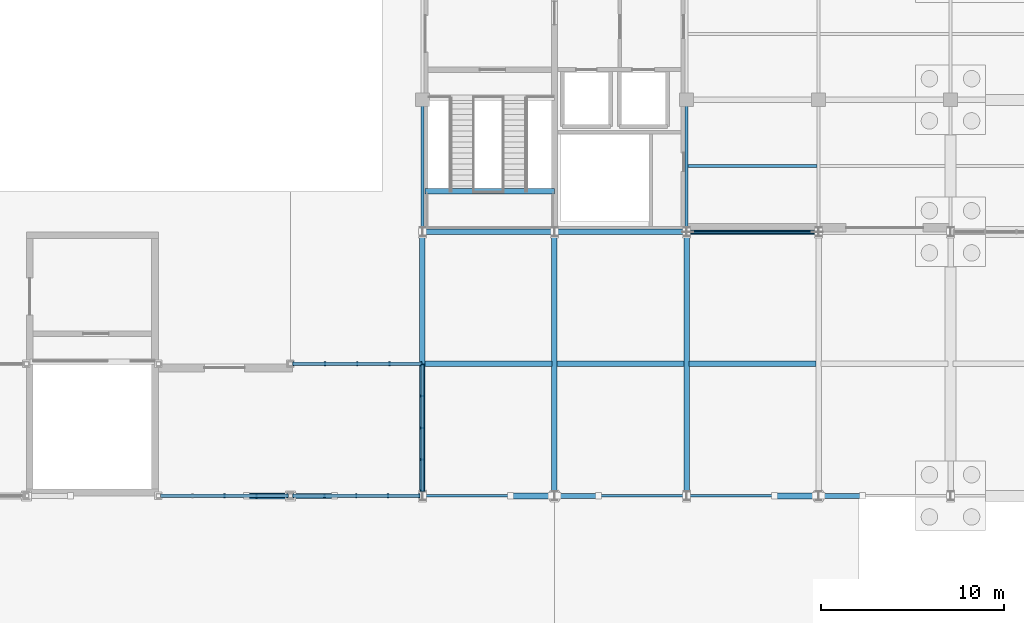
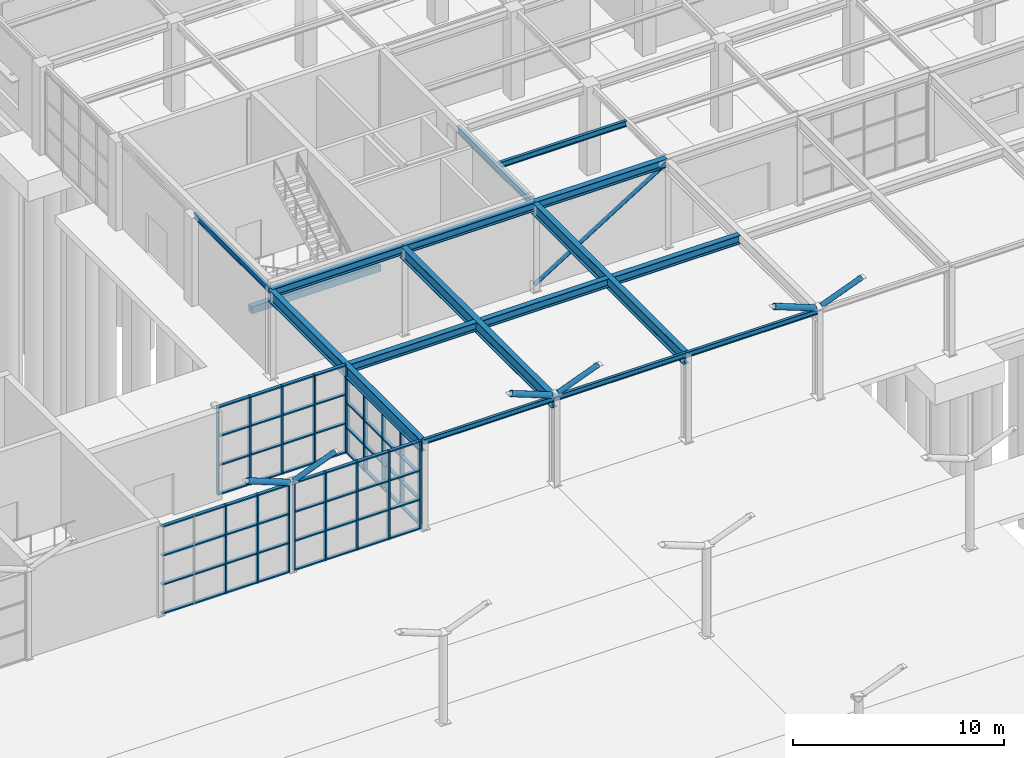
# One storey, part 32 of 75: 41 members, 16 beams, 4 elements without a shape of their own.
"""IFC4 building model written with IfcOpenShell, lengths in metres."""

from ifc_helpers import new_model, si_unit, direction, frame, origin, origin_2d, place, context, subcontext, project, spatial, rectangle, hollow_circle, i_section, extrude, material, material_profile, profile_set, type_object, element, aggregate, save


model = new_model("IFC4")

# Units and contexts
model_context = context("Model", 3, precision=1e-05, world=origin(), true_north=direction((0.0, 1.0)))
body_context = subcontext(model_context, "Body", "Model", "MODEL_VIEW")
ifc_project = project(units=[si_unit("LENGTHUNIT", "METRE"), si_unit("AREAUNIT", "SQUARE_METRE"), si_unit("VOLUMEUNIT", "CUBIC_METRE"), si_unit("PLANEANGLEUNIT", "RADIAN"), si_unit("MASSUNIT", "GRAM", prefix="KILO")], contexts=[model_context])

# Site, building, storey
site_placement = place(None, origin())
site = spatial("IfcSite", under=ifc_project, at=site_placement, CompositionType="ELEMENT")
building_placement = place(site_placement, origin())
building = spatial("IfcBuilding", under=site, at=building_placement, Name="Leyfeld Transit Interchange", CompositionType="ELEMENT")
storey_placement = place(building_placement, origin())
storey = spatial("IfcBuildingStorey", under=building, at=storey_placement, Name="L00", CompositionType="ELEMENT", Elevation=0.0)

# Beams
ifc_material_1 = material(Name="Concrete C35/45", Category="concrete")
ifc_material_profile_1 = material_profile(ifc_material_1, rectangle(XDim=0.300048828125, YDim=0.39990234375, at=origin_2d()), Name="RC 400x300")
ifc_profile_set_1 = profile_set([ifc_material_profile_1], Name="Concrete C35/45")
beam_type_1 = type_object("IfcBeamType", Name="BM-RC-400x300", PredefinedType="LINTEL", material=ifc_profile_set_1)
beam_1_placement = place(storey_placement, frame((136.949951171875, 59.800048828125, 2.5), z_axis=(1.0, 0.0, 0.0), x_axis=(0.0, 1.0, 0.0)))
element("IfcBeam", 1, at=beam_1_placement, inside=storey, type_object=beam_type_1, Name="Stair ST-04 L00 Half-Landing Corbel", PredefinedType="LINTEL", context=body_context, shape_type="SweptSolid", body=[
    extrude(rectangle(XDim=0.300048828125, YDim=0.39990234375, at=origin_2d()), origin(), (0.0, 0.0, 1.0), 7.050048828125),
])
ifc_material_2 = material(Name="Steel S355J2", Category="steel")
ifc_material_profile_2 = material_profile(ifc_material_2, i_section(OverallWidth=0.300048828125, OverallDepth=0.5, WebThickness=0.014404296875, FlangeThickness=0.028076171875, FilletRadius=0.027099609375, at=origin_2d()), Name="HEB 500")
ifc_profile_set_2 = profile_set([ifc_material_profile_2], Name="Steel S355J2")
beam_type_2 = type_object("IfcBeamType", Name="BM-STL-HEB500", PredefinedType="JOIST", material=ifc_profile_set_2)
for number, where, z_axis, x_axis, name in (
    (2, (136.947021484375, 50.39990234375, 4.85009765625), (1.0, 0.0, 0.0), (0.0, 1.0, 0.0), "Beam BM-L00-1369_0504-1439_0504"),
    (3, (144.14697265625, 50.39990234375, 4.85009765625), (1.0, 0.0, 0.0), (0.0, 1.0, 0.0), "Beam BM-L00-1441_0504-1511_0504"),
    (4, (151.346923828125, 50.39990234375, 4.85009765625), (1.0, 0.0, 0.0), (0.0, 1.0, 0.0), "Beam BM-L00-1513_0504-1583_0504"),
):
    element("IfcBeam", number, at=place(storey_placement, frame(where, z_axis=z_axis, x_axis=x_axis)), inside=storey, type_object=beam_type_2, Name=name, PredefinedType="JOIST", context=body_context, shape_type="SweptSolid", body=[
        extrude(i_section(OverallWidth=0.300048828125, OverallDepth=0.5, WebThickness=0.014404296875, FlangeThickness=0.028076171875, FilletRadius=0.027099609375, at=origin_2d()), origin(), (0.0, 0.0, 1.0), 6.906005859375),
    ])
for number, where, z_axis, x_axis, name in (
    (5, (136.800048828125, 57.60009765625, 4.85009765625), (1.0, 0.0, 0.0), (0.0, 1.0, 0.0), "Beam BM-L00-1368_0576-1440_0576"),
    (6, (144.0, 57.60009765625, 4.85009765625), (1.0, 0.0, 0.0), (0.0, 1.0, 0.0), "Beam BM-L00-1440_0576-1512_0576"),
    (7, (151.199951171875, 57.60009765625, 4.85009765625), (1.0, 0.0, 0.0), (0.0, 1.0, 0.0), "Beam BM-L00-1512_0576-1584_0576"),
):
    element("IfcBeam", number, at=place(storey_placement, frame(where, z_axis=z_axis, x_axis=x_axis)), inside=storey, type_object=beam_type_2, Name=name, PredefinedType="JOIST", context=body_context, shape_type="SweptSolid", body=[
        extrude(i_section(OverallWidth=0.300048828125, OverallDepth=0.5, WebThickness=0.014404296875, FlangeThickness=0.028076171875, FilletRadius=0.027099609375, at=origin_2d()), origin(), (0.0, 0.0, 1.0), 7.199951171875),
    ])
ifc_material_profile_3 = material_profile(ifc_material_2, i_section(OverallWidth=0.300048828125, OverallDepth=0.699951171875, WebThickness=0.01708984375, FlangeThickness=0.031982421875, FilletRadius=0.027099609375, at=origin_2d()), Name="HEB 700")
ifc_profile_set_3 = profile_set([ifc_material_profile_3], Name="Steel S355J2")
beam_type_3 = type_object("IfcBeamType", Name="BM-STL-HEB700", PredefinedType="JOIST", material=ifc_profile_set_3)
for number, where, z_axis, x_axis, name in (
    (8, (136.800048828125, 43.199951171875, 4.75), (0.0, 1.0, 0.0), (-1.0, 0.0, 0.0), "Beam BM-L00-1368_0432-1368_0576"),
    (9, (144.0, 43.199951171875, 4.75), (0.0, 1.0, 0.0), (-1.0, 0.0, 0.0), "Beam BM-L00-1440_0432-1440_0576"),
    (10, (151.199951171875, 43.199951171875, 4.75), (0.0, 1.0, 0.0), (-1.0, 0.0, 0.0), "Beam BM-L00-1512_0432-1512_0576"),
):
    element("IfcBeam", number, at=place(storey_placement, frame(where, z_axis=z_axis, x_axis=x_axis)), inside=storey, type_object=beam_type_3, Name=name, PredefinedType="JOIST", context=body_context, shape_type="SweptSolid", body=[
        extrude(i_section(OverallWidth=0.300048828125, OverallDepth=0.699951171875, WebThickness=0.01708984375, FlangeThickness=0.031982421875, FilletRadius=0.027099609375, at=origin_2d()), origin(), (0.0, 0.0, 1.0), 14.400146484375),
    ])
ifc_material_profile_4 = material_profile(ifc_material_2, i_section(OverallWidth=0.14990234375, OverallDepth=0.300048828125, WebThickness=0.007080078125, FlangeThickness=0.0107421875, FilletRadius=0.014892578125, at=origin_2d()), Name="IPE 300")
ifc_profile_set_4 = profile_set([ifc_material_profile_4], Name="Steel S355J2")
beam_type_4 = type_object("IfcBeamType", Name="BM-STL-IPE300", PredefinedType="SPANDREL", material=ifc_profile_set_4)
for number, where, z_axis, x_axis, name in (
    (11, (136.800048828125, 57.60009765625, 4.949951171875), (0.0, 1.0, 0.0), (-1.0, 0.0, 0.0), "Beam BM-L00-1368_0576-1368_0648"),
    (12, (136.800048828125, 43.199951171875, 4.949951171875), (1.0, 0.0, 0.0), (0.0, 1.0, 0.0), "Beam BM-L00-1368_0432-1440_0432"),
    (13, (144.0, 43.199951171875, 4.949951171875), (1.0, 0.0, 0.0), (0.0, 1.0, 0.0), "Beam BM-L00-1440_0432-1512_0432"),
    (14, (151.199951171875, 43.199951171875, 4.949951171875), (1.0, 0.0, 0.0), (0.0, 1.0, 0.0), "Beam BM-L00-1512_0432-1584_0432"),
):
    element("IfcBeam", number, at=place(storey_placement, frame(where, z_axis=z_axis, x_axis=x_axis)), inside=storey, type_object=beam_type_4, Name=name, PredefinedType="SPANDREL", context=body_context, shape_type="SweptSolid", body=[
        extrude(i_section(OverallWidth=0.14990234375, OverallDepth=0.300048828125, WebThickness=0.007080078125, FlangeThickness=0.0107421875, FilletRadius=0.014892578125, at=origin_2d()), origin(), (0.0, 0.0, 1.0), 7.199951171875),
    ])
ifc_material_profile_5 = material_profile(ifc_material_2, i_section(OverallWidth=0.159912109375, OverallDepth=0.330078125, WebThickness=0.007568359375, FlangeThickness=0.011474609375, FilletRadius=0.01806640625, at=origin_2d()), Name="IPE 330")
ifc_profile_set_5 = profile_set([ifc_material_profile_5], Name="Steel S355J2")
beam_type_5 = type_object("IfcBeamType", Name="BM-STL-IPE330", PredefinedType="BEAM", material=ifc_profile_set_5)
beam_2_placement = place(storey_placement, frame((151.287109375, 61.199951171875, 4.93505859375), z_axis=(1.0, 0.0, 0.0), x_axis=(0.0, 1.0, 0.0)))
element("IfcBeam", 15, at=beam_2_placement, inside=storey, type_object=beam_type_5, Name="Beam BM-L00-1513_0612-1583_0612", PredefinedType="BEAM", context=body_context, shape_type="SweptSolid", body=[
    extrude(i_section(OverallWidth=0.159912109375, OverallDepth=0.330078125, WebThickness=0.007568359375, FlangeThickness=0.011474609375, FilletRadius=0.01806640625, at=origin_2d()), origin(), (0.0, 0.0, 1.0), 7.02587890625),
])
ifc_material_profile_6 = material_profile(ifc_material_2, i_section(OverallWidth=0.179931640625, OverallDepth=0.39990234375, WebThickness=0.008544921875, FlangeThickness=0.013427734375, FilletRadius=0.02099609375, at=origin_2d()), Name="IPE 400")
ifc_profile_set_6 = profile_set([ifc_material_profile_6], Name="Steel S355J2")
beam_type_6 = type_object("IfcBeamType", Name="BM-STL-IPE400", PredefinedType="BEAM", material=ifc_profile_set_6)
beam_3_placement = place(storey_placement, frame((151.199951171875, 57.60009765625, 4.89990234375), z_axis=(0.0, 1.0, 0.0), x_axis=(-1.0, 0.0, 0.0)))
element("IfcBeam", 16, at=beam_3_placement, inside=storey, type_object=beam_type_6, Name="Beam BM-L00-1512_0576-1512_0648", PredefinedType="BEAM", context=body_context, shape_type="SweptSolid", body=[
    extrude(i_section(OverallWidth=0.179931640625, OverallDepth=0.39990234375, WebThickness=0.008544921875, FlangeThickness=0.013427734375, FilletRadius=0.02099609375, at=origin_2d()), origin(), (0.0, 0.0, 1.0), 7.199951171875),
])

# Curtain wall, members
ifc_material_3 = material(Name="Anodised aluminium EN AW-6060 T66", Category="aluminium")
curtain_wall_type = type_object("IfcCurtainWallType", Name="CW-SYS-PAS-7200", PredefinedType="NOTDEFINED", material=ifc_material_3)
curtain_wall_1_placement = place(storey_placement, origin())
curtain_wall_1 = element("IfcCurtainWall", 17, at=curtain_wall_1_placement, inside=storey, type_object=curtain_wall_type, Name="Curtain Wall CW-L00-022", PredefinedType="NOTDEFINED")
ifc_material_profile_7 = material_profile(ifc_material_3, rectangle(XDim=0.074951171875, YDim=0.219970703125, at=origin_2d()), Name="CW-M 75x220")
ifc_profile_set_7 = profile_set([ifc_material_profile_7], Name="Anodised aluminium EN AW-6060 T66")
member_type_1 = type_object("IfcMemberType", Name="CW-MUL-180x70", PredefinedType="MULLION", material=ifc_profile_set_7)
member_1_placement = place(storey_placement, frame((129.75244140625, 50.39990234375, 0.0), z_axis=(0.0, 0.0, 1.0), x_axis=(1.0, 0.0, 0.0)))
member_1 = element("IfcMember", 18, at=member_1_placement, type_object=member_type_1, Name="Curtain Mullion CW-L00-022-M01", PredefinedType="MULLION", context=body_context, shape_type="SweptSolid", body=[
    extrude(rectangle(XDim=0.074951171875, YDim=0.219970703125, at=origin_2d()), origin(), (0.0, 0.0, 1.0), 5.10009765625),
])
member_2_placement = place(storey_placement, frame((131.478759765625, 50.39990234375, 0.0), z_axis=(0.0, 0.0, 1.0), x_axis=(1.0, 0.0, 0.0)))
member_2 = element("IfcMember", 19, at=member_2_placement, type_object=member_type_1, Name="Curtain Mullion CW-L00-022-M02", PredefinedType="MULLION", context=body_context, shape_type="SweptSolid", body=[
    extrude(rectangle(XDim=0.074951171875, YDim=0.219970703125, at=origin_2d()), origin(), (0.0, 0.0, 1.0), 5.10009765625),
])
member_3_placement = place(storey_placement, frame((133.242431640625, 50.39990234375, 0.0), z_axis=(0.0, 0.0, 1.0), x_axis=(1.0, 0.0, 0.0)))
member_3 = element("IfcMember", 20, at=member_3_placement, type_object=member_type_1, Name="Curtain Mullion CW-L00-022-M03", PredefinedType="MULLION", context=body_context, shape_type="SweptSolid", body=[
    extrude(rectangle(XDim=0.074951171875, YDim=0.219970703125, at=origin_2d()), origin(), (0.0, 0.0, 1.0), 5.10009765625),
])
member_4_placement = place(storey_placement, frame((135.00634765625, 50.39990234375, 0.0), z_axis=(0.0, 0.0, 1.0), x_axis=(1.0, 0.0, 0.0)))
member_4 = element("IfcMember", 21, at=member_4_placement, type_object=member_type_1, Name="Curtain Mullion CW-L00-022-M04", PredefinedType="MULLION", context=body_context, shape_type="SweptSolid", body=[
    extrude(rectangle(XDim=0.074951171875, YDim=0.219970703125, at=origin_2d()), origin(), (0.0, 0.0, 1.0), 5.10009765625),
])
member_5_placement = place(storey_placement, frame((136.732421875, 50.39990234375, 0.0), z_axis=(0.0, 0.0, 1.0), x_axis=(1.0, 0.0, 0.0)))
member_5 = element("IfcMember", 22, at=member_5_placement, type_object=member_type_1, Name="Curtain Mullion CW-L00-022-M05", PredefinedType="MULLION", context=body_context, shape_type="SweptSolid", body=[
    extrude(rectangle(XDim=0.074951171875, YDim=0.219970703125, at=origin_2d()), origin(), (0.0, 0.0, 1.0), 5.10009765625),
])

curtain_wall_2_placement = place(storey_placement, origin())
curtain_wall_2 = element("IfcCurtainWall", 23, at=curtain_wall_2_placement, inside=storey, type_object=curtain_wall_type, Name="Curtain Wall CW-L00-023", PredefinedType="NOTDEFINED")
member_6_placement = place(storey_placement, frame((136.800048828125, 50.33251953125, 0.0), z_axis=(0.0, 0.0, 1.0), x_axis=(0.0, -1.0, 0.0)))
member_6 = element("IfcMember", 24, at=member_6_placement, type_object=member_type_1, Name="Curtain Mullion CW-L00-023-M01", PredefinedType="MULLION", context=body_context, shape_type="SweptSolid", body=[
    extrude(rectangle(XDim=0.074951171875, YDim=0.219970703125, at=origin_2d()), origin(), (0.0, 0.0, 1.0), 4.39990234375),
])
member_7_placement = place(storey_placement, frame((136.800048828125, 48.637451171875, 0.0), z_axis=(0.0, 0.0, 1.0), x_axis=(0.0, -1.0, 0.0)))
member_7 = element("IfcMember", 25, at=member_7_placement, type_object=member_type_1, Name="Curtain Mullion CW-L00-023-M02", PredefinedType="MULLION", context=body_context, shape_type="SweptSolid", body=[
    extrude(rectangle(XDim=0.074951171875, YDim=0.219970703125, at=origin_2d()), origin(), (0.0, 0.0, 1.0), 4.39990234375),
])
member_8_placement = place(storey_placement, frame((136.800048828125, 46.905029296875, 0.0), z_axis=(0.0, 0.0, 1.0), x_axis=(0.0, -1.0, 0.0)))
member_8 = element("IfcMember", 26, at=member_8_placement, type_object=member_type_1, Name="Curtain Mullion CW-L00-023-M03", PredefinedType="MULLION", context=body_context, shape_type="SweptSolid", body=[
    extrude(rectangle(XDim=0.074951171875, YDim=0.219970703125, at=origin_2d()), origin(), (0.0, 0.0, 1.0), 4.39990234375),
])
member_9_placement = place(storey_placement, frame((136.800048828125, 45.172607421875, 0.0), z_axis=(0.0, 0.0, 1.0), x_axis=(0.0, -1.0, 0.0)))
member_9 = element("IfcMember", 27, at=member_9_placement, type_object=member_type_1, Name="Curtain Mullion CW-L00-023-M04", PredefinedType="MULLION", context=body_context, shape_type="SweptSolid", body=[
    extrude(rectangle(XDim=0.074951171875, YDim=0.219970703125, at=origin_2d()), origin(), (0.0, 0.0, 1.0), 4.39990234375),
])
member_10_placement = place(storey_placement, frame((136.800048828125, 43.4775390625, 0.0), z_axis=(0.0, 0.0, 1.0), x_axis=(0.0, -1.0, 0.0)))
member_10 = element("IfcMember", 28, at=member_10_placement, type_object=member_type_1, Name="Curtain Mullion CW-L00-023-M05", PredefinedType="MULLION", context=body_context, shape_type="SweptSolid", body=[
    extrude(rectangle(XDim=0.074951171875, YDim=0.219970703125, at=origin_2d()), origin(), (0.0, 0.0, 1.0), 4.39990234375),
])

curtain_wall_3_placement = place(storey_placement, origin())
curtain_wall_3 = element("IfcCurtainWall", 29, at=curtain_wall_3_placement, inside=storey, type_object=curtain_wall_type, Name="Curtain Wall CW-L00-024", PredefinedType="NOTDEFINED")
member_11_placement = place(storey_placement, frame((136.62255859375, 43.199951171875, 0.0), z_axis=(0.0, 0.0, 1.0), x_axis=(-1.0, 0.0, 0.0)))
member_11 = element("IfcMember", 30, at=member_11_placement, type_object=member_type_1, Name="Curtain Mullion CW-L00-024-M01", PredefinedType="MULLION", context=body_context, shape_type="SweptSolid", body=[
    extrude(rectangle(XDim=0.074951171875, YDim=0.219970703125, at=origin_2d()), origin(), (0.0, 0.0, 1.0), 5.10009765625),
])
member_12_placement = place(storey_placement, frame((134.923828125, 43.199951171875, 0.0), z_axis=(0.0, 0.0, 1.0), x_axis=(-1.0, 0.0, 0.0)))
member_12 = element("IfcMember", 31, at=member_12_placement, type_object=member_type_1, Name="Curtain Mullion CW-L00-024-M02", PredefinedType="MULLION", context=body_context, shape_type="SweptSolid", body=[
    extrude(rectangle(XDim=0.074951171875, YDim=0.219970703125, at=origin_2d()), origin(), (0.0, 0.0, 1.0), 5.10009765625),
])
member_13_placement = place(storey_placement, frame((133.1875, 43.199951171875, 0.0), z_axis=(0.0, 0.0, 1.0), x_axis=(-1.0, 0.0, 0.0)))
member_13 = element("IfcMember", 32, at=member_13_placement, type_object=member_type_1, Name="Curtain Mullion CW-L00-024-M03", PredefinedType="MULLION", context=body_context, shape_type="SweptSolid", body=[
    extrude(rectangle(XDim=0.074951171875, YDim=0.219970703125, at=origin_2d()), origin(), (0.0, 0.0, 1.0), 5.10009765625),
])
member_14_placement = place(storey_placement, frame((131.451416015625, 43.199951171875, 0.0), z_axis=(0.0, 0.0, 1.0), x_axis=(-1.0, 0.0, 0.0)))
member_14 = element("IfcMember", 33, at=member_14_placement, type_object=member_type_1, Name="Curtain Mullion CW-L00-024-M04", PredefinedType="MULLION", context=body_context, shape_type="SweptSolid", body=[
    extrude(rectangle(XDim=0.074951171875, YDim=0.219970703125, at=origin_2d()), origin(), (0.0, 0.0, 1.0), 5.10009765625),
])
member_15_placement = place(storey_placement, frame((129.75244140625, 43.199951171875, 0.0), z_axis=(0.0, 0.0, 1.0), x_axis=(-1.0, 0.0, 0.0)))
member_15 = element("IfcMember", 34, at=member_15_placement, type_object=member_type_1, Name="Curtain Mullion CW-L00-024-M05", PredefinedType="MULLION", context=body_context, shape_type="SweptSolid", body=[
    extrude(rectangle(XDim=0.074951171875, YDim=0.219970703125, at=origin_2d()), origin(), (0.0, 0.0, 1.0), 5.10009765625),
])

curtain_wall_4_placement = place(storey_placement, origin())
curtain_wall_4 = element("IfcCurtainWall", 35, at=curtain_wall_4_placement, inside=storey, type_object=curtain_wall_type, Name="Curtain Wall CW-L00-025", PredefinedType="NOTDEFINED")
member_16_placement = place(storey_placement, frame((129.447509765625, 43.199951171875, 0.0), z_axis=(0.0, 0.0, 1.0), x_axis=(-1.0, 0.0, 0.0)))
member_16 = element("IfcMember", 36, at=member_16_placement, type_object=member_type_1, Name="Curtain Mullion CW-L00-025-M01", PredefinedType="MULLION", context=body_context, shape_type="SweptSolid", body=[
    extrude(rectangle(XDim=0.074951171875, YDim=0.219970703125, at=origin_2d()), origin(), (0.0, 0.0, 1.0), 5.10009765625),
])
member_17_placement = place(storey_placement, frame((127.742431640625, 43.199951171875, 0.0), z_axis=(0.0, 0.0, 1.0), x_axis=(-1.0, 0.0, 0.0)))
member_17 = element("IfcMember", 37, at=member_17_placement, type_object=member_type_1, Name="Curtain Mullion CW-L00-025-M02", PredefinedType="MULLION", context=body_context, shape_type="SweptSolid", body=[
    extrude(rectangle(XDim=0.074951171875, YDim=0.219970703125, at=origin_2d()), origin(), (0.0, 0.0, 1.0), 5.10009765625),
])
member_18_placement = place(storey_placement, frame((126.0, 43.199951171875, 0.0), z_axis=(0.0, 0.0, 1.0), x_axis=(-1.0, 0.0, 0.0)))
member_18 = element("IfcMember", 38, at=member_18_placement, type_object=member_type_1, Name="Curtain Mullion CW-L00-025-M03", PredefinedType="MULLION", context=body_context, shape_type="SweptSolid", body=[
    extrude(rectangle(XDim=0.074951171875, YDim=0.219970703125, at=origin_2d()), origin(), (0.0, 0.0, 1.0), 5.10009765625),
])

# Member
ifc_material_profile_8 = material_profile(ifc_material_3, rectangle(XDim=0.179931640625, YDim=0.074951171875, at=origin_2d()), Name="CW-TRN-160x70")
ifc_profile_set_8 = profile_set([ifc_material_profile_8], Name="Anodised aluminium EN AW-6060 T66")
member_type_2 = type_object("IfcMemberType", Name="CW-TRN-160x70", PredefinedType="USERDEFINED", material=ifc_profile_set_8)
member_19_placement = place(storey_placement, frame((129.715087890625, 50.39990234375, 0.03759765625), z_axis=(1.0, 0.0, 0.0), x_axis=(0.0, 1.0, 0.0)))
member_19 = element("IfcMember", 39, at=member_19_placement, type_object=member_type_2, Name="Curtain Transom CW-L00-022-T01", ObjectType="TRANSOM", PredefinedType="USERDEFINED", context=body_context, shape_type="SweptSolid", body=[
    extrude(rectangle(XDim=0.179931640625, YDim=0.074951171875, at=origin_2d()), origin(), (0.0, 0.0, 1.0), 7.054931640625),
])

member_20_placement = place(storey_placement, frame((129.715087890625, 50.39990234375, 1.71240234375), z_axis=(1.0, 0.0, 0.0), x_axis=(0.0, 1.0, 0.0)))
member_20 = element("IfcMember", 40, at=member_20_placement, type_object=member_type_2, Name="Curtain Transom CW-L00-022-T02", ObjectType="TRANSOM", PredefinedType="USERDEFINED", context=body_context, shape_type="SweptSolid", body=[
    extrude(rectangle(XDim=0.179931640625, YDim=0.074951171875, at=origin_2d()), origin(), (0.0, 0.0, 1.0), 7.054931640625),
])

member_21_placement = place(storey_placement, frame((129.715087890625, 50.39990234375, 3.387451171875), z_axis=(1.0, 0.0, 0.0), x_axis=(0.0, 1.0, 0.0)))
member_21 = element("IfcMember", 41, at=member_21_placement, type_object=member_type_2, Name="Curtain Transom CW-L00-022-T03", ObjectType="TRANSOM", PredefinedType="USERDEFINED", context=body_context, shape_type="SweptSolid", body=[
    extrude(rectangle(XDim=0.179931640625, YDim=0.074951171875, at=origin_2d()), origin(), (0.0, 0.0, 1.0), 7.054931640625),
])

member_22_placement = place(storey_placement, frame((129.715087890625, 50.39990234375, 5.0625), z_axis=(1.0, 0.0, 0.0), x_axis=(0.0, 1.0, 0.0)))
member_22 = element("IfcMember", 42, at=member_22_placement, type_object=member_type_2, Name="Curtain Transom CW-L00-022-T04", ObjectType="TRANSOM", PredefinedType="USERDEFINED", context=body_context, shape_type="SweptSolid", body=[
    extrude(rectangle(XDim=0.179931640625, YDim=0.074951171875, at=origin_2d()), origin(), (0.0, 0.0, 1.0), 7.054931640625),
])

aggregate(curtain_wall_1, [member_1, member_2, member_3, member_4, member_5, member_19, member_20, member_21, member_22])

member_23_placement = place(storey_placement, frame((136.800048828125, 50.3701171875, 0.03759765625), z_axis=(0.0, -1.0, 0.0), x_axis=(1.0, 0.0, 0.0)))
member_23 = element("IfcMember", 43, at=member_23_placement, type_object=member_type_2, Name="Curtain Transom CW-L00-023-T01", ObjectType="TRANSOM", PredefinedType="USERDEFINED", context=body_context, shape_type="SweptSolid", body=[
    extrude(rectangle(XDim=0.179931640625, YDim=0.074951171875, at=origin_2d()), origin(), (0.0, 0.0, 1.0), 6.93017578125),
])

member_24_placement = place(storey_placement, frame((136.800048828125, 50.3701171875, 1.479248046875), z_axis=(0.0, -1.0, 0.0), x_axis=(1.0, 0.0, 0.0)))
member_24 = element("IfcMember", 44, at=member_24_placement, type_object=member_type_2, Name="Curtain Transom CW-L00-023-T02", ObjectType="TRANSOM", PredefinedType="USERDEFINED", context=body_context, shape_type="SweptSolid", body=[
    extrude(rectangle(XDim=0.179931640625, YDim=0.074951171875, at=origin_2d()), origin(), (0.0, 0.0, 1.0), 6.93017578125),
])

member_25_placement = place(storey_placement, frame((136.800048828125, 50.3701171875, 2.9208984375), z_axis=(0.0, -1.0, 0.0), x_axis=(1.0, 0.0, 0.0)))
member_25 = element("IfcMember", 45, at=member_25_placement, type_object=member_type_2, Name="Curtain Transom CW-L00-023-T03", ObjectType="TRANSOM", PredefinedType="USERDEFINED", context=body_context, shape_type="SweptSolid", body=[
    extrude(rectangle(XDim=0.179931640625, YDim=0.074951171875, at=origin_2d()), origin(), (0.0, 0.0, 1.0), 6.93017578125),
])

member_26_placement = place(storey_placement, frame((136.800048828125, 50.3701171875, 4.362548828125), z_axis=(0.0, -1.0, 0.0), x_axis=(1.0, 0.0, 0.0)))
member_26 = element("IfcMember", 46, at=member_26_placement, type_object=member_type_2, Name="Curtain Transom CW-L00-023-T04", ObjectType="TRANSOM", PredefinedType="USERDEFINED", context=body_context, shape_type="SweptSolid", body=[
    extrude(rectangle(XDim=0.179931640625, YDim=0.074951171875, at=origin_2d()), origin(), (0.0, 0.0, 1.0), 6.93017578125),
])

aggregate(curtain_wall_2, [member_6, member_7, member_8, member_9, member_10, member_23, member_24, member_25, member_26])

member_27_placement = place(storey_placement, frame((136.659912109375, 43.199951171875, 0.03759765625), z_axis=(-1.0, 0.0, 0.0), x_axis=(0.0, -1.0, 0.0)))
member_27 = element("IfcMember", 47, at=member_27_placement, type_object=member_type_2, Name="Curtain Transom CW-L00-024-T01", ObjectType="TRANSOM", PredefinedType="USERDEFINED", context=body_context, shape_type="SweptSolid", body=[
    extrude(rectangle(XDim=0.179931640625, YDim=0.074951171875, at=origin_2d()), origin(), (0.0, 0.0, 1.0), 6.94482421875),
])

member_28_placement = place(storey_placement, frame((136.659912109375, 43.199951171875, 1.71240234375), z_axis=(-1.0, 0.0, 0.0), x_axis=(0.0, -1.0, 0.0)))
member_28 = element("IfcMember", 48, at=member_28_placement, type_object=member_type_2, Name="Curtain Transom CW-L00-024-T02", ObjectType="TRANSOM", PredefinedType="USERDEFINED", context=body_context, shape_type="SweptSolid", body=[
    extrude(rectangle(XDim=0.179931640625, YDim=0.074951171875, at=origin_2d()), origin(), (0.0, 0.0, 1.0), 6.94482421875),
])

member_29_placement = place(storey_placement, frame((136.659912109375, 43.199951171875, 3.387451171875), z_axis=(-1.0, 0.0, 0.0), x_axis=(0.0, -1.0, 0.0)))
member_29 = element("IfcMember", 49, at=member_29_placement, type_object=member_type_2, Name="Curtain Transom CW-L00-024-T03", ObjectType="TRANSOM", PredefinedType="USERDEFINED", context=body_context, shape_type="SweptSolid", body=[
    extrude(rectangle(XDim=0.179931640625, YDim=0.074951171875, at=origin_2d()), origin(), (0.0, 0.0, 1.0), 6.94482421875),
])

member_30_placement = place(storey_placement, frame((136.659912109375, 43.199951171875, 5.0625), z_axis=(-1.0, 0.0, 0.0), x_axis=(0.0, -1.0, 0.0)))
member_30 = element("IfcMember", 50, at=member_30_placement, type_object=member_type_2, Name="Curtain Transom CW-L00-024-T04", ObjectType="TRANSOM", PredefinedType="USERDEFINED", context=body_context, shape_type="SweptSolid", body=[
    extrude(rectangle(XDim=0.179931640625, YDim=0.074951171875, at=origin_2d()), origin(), (0.0, 0.0, 1.0), 6.94482421875),
])

aggregate(curtain_wall_3, [member_11, member_12, member_13, member_14, member_15, member_27, member_28, member_29, member_30])

member_31_placement = place(storey_placement, frame((129.485107421875, 43.199951171875, 0.03759765625), z_axis=(-1.0, 0.0, 0.0), x_axis=(0.0, -1.0, 0.0)))
member_31 = element("IfcMember", 51, at=member_31_placement, type_object=member_type_2, Name="Curtain Transom CW-L00-025-T01", ObjectType="TRANSOM", PredefinedType="USERDEFINED", context=body_context, shape_type="SweptSolid", body=[
    extrude(rectangle(XDim=0.179931640625, YDim=0.074951171875, at=origin_2d()), origin(), (0.0, 0.0, 1.0), 6.97021484375),
])

member_32_placement = place(storey_placement, frame((129.485107421875, 43.199951171875, 1.71240234375), z_axis=(-1.0, 0.0, 0.0), x_axis=(0.0, -1.0, 0.0)))
member_32 = element("IfcMember", 52, at=member_32_placement, type_object=member_type_2, Name="Curtain Transom CW-L00-025-T02", ObjectType="TRANSOM", PredefinedType="USERDEFINED", context=body_context, shape_type="SweptSolid", body=[
    extrude(rectangle(XDim=0.179931640625, YDim=0.074951171875, at=origin_2d()), origin(), (0.0, 0.0, 1.0), 6.97021484375),
])

member_33_placement = place(storey_placement, frame((129.485107421875, 43.199951171875, 3.387451171875), z_axis=(-1.0, 0.0, 0.0), x_axis=(0.0, -1.0, 0.0)))
member_33 = element("IfcMember", 53, at=member_33_placement, type_object=member_type_2, Name="Curtain Transom CW-L00-025-T03", ObjectType="TRANSOM", PredefinedType="USERDEFINED", context=body_context, shape_type="SweptSolid", body=[
    extrude(rectangle(XDim=0.179931640625, YDim=0.074951171875, at=origin_2d()), origin(), (0.0, 0.0, 1.0), 6.97021484375),
])

member_34_placement = place(storey_placement, frame((129.485107421875, 43.199951171875, 5.0625), z_axis=(-1.0, 0.0, 0.0), x_axis=(0.0, -1.0, 0.0)))
member_34 = element("IfcMember", 54, at=member_34_placement, type_object=member_type_2, Name="Curtain Transom CW-L00-025-T04", ObjectType="TRANSOM", PredefinedType="USERDEFINED", context=body_context, shape_type="SweptSolid", body=[
    extrude(rectangle(XDim=0.179931640625, YDim=0.074951171875, at=origin_2d()), origin(), (0.0, 0.0, 1.0), 6.97021484375),
])

aggregate(curtain_wall_4, [member_16, member_17, member_18, member_31, member_32, member_33, member_34])

# Members
ifc_material_profile_9 = material_profile(ifc_material_2, hollow_circle(Radius=0.109619140625, WallThickness=0.012451171875, at=origin_2d()), Name="CHS 219.1x12.5")
ifc_profile_set_9 = profile_set([ifc_material_profile_9], Name="Steel S355J2")
member_type_3 = type_object("IfcMemberType", Name="MEM-BRC-CHS219", PredefinedType="BRACE", material=ifc_profile_set_9)
member_35_placement = place(storey_placement, frame((151.199951171875, 57.60009765625, 0.25), z_axis=(0.847996688584, 0.0, 0.530001524668), x_axis=(0.0, 1.0, 0.0)))
element("IfcMember", 55, at=member_35_placement, inside=storey, type_object=member_type_3, Name="Lateral Diagonal Brace 007", PredefinedType="BRACE", context=body_context, shape_type="SweptSolid", body=[
    extrude(hollow_circle(Radius=0.109619140625, WallThickness=0.012451171875, at=origin_2d()), origin(), (0.0, 0.0, 1.0), 8.490478515625),
])
ifc_material_profile_10 = material_profile(ifc_material_2, hollow_circle(Radius=0.136474609375, WallThickness=0.012451171875, at=origin_2d()), Name="CHS 273x12.5")
ifc_profile_set_10 = profile_set([ifc_material_profile_10], Name="Steel S355J2")
member_type_4 = type_object("IfcMemberType", Name="MEM-VSTR-273", PredefinedType="STRUT", material=ifc_profile_set_10)
member_36_placement = place(storey_placement, frame((129.718017578125, 43.199951171875, 5.159912109375), z_axis=(0.931631947426, 0.0, 0.363403239576), x_axis=(0.0, 1.0, 0.0)))
element("IfcMember", 56, at=member_36_placement, inside=storey, type_object=member_type_4, Name="Bus Canopy V-Strut 017", PredefinedType="STRUT", context=body_context, shape_type="SweptSolid", body=[
    extrude(hollow_circle(Radius=0.136474609375, WallThickness=0.012451171875, at=origin_2d()), origin(), (0.0, 0.0, 1.0), 2.449462890625),
])
member_37_placement = place(storey_placement, frame((144.18505859375, 43.199951171875, 5.18994140625), z_axis=(0.932178115879, 0.0, 0.361999945133), x_axis=(0.0, 1.0, 0.0)))
element("IfcMember", 57, at=member_37_placement, inside=storey, type_object=member_type_4, Name="Bus Canopy V-Strut 025", PredefinedType="STRUT", context=body_context, shape_type="SweptSolid", body=[
    extrude(hollow_circle(Radius=0.136474609375, WallThickness=0.012451171875, at=origin_2d()), origin(), (0.0, 0.0, 1.0), 2.3759765625),
])
member_38_placement = place(storey_placement, frame((158.5849609375, 43.199951171875, 5.18994140625), z_axis=(0.932191579147, 0.0, 0.361965274257), x_axis=(0.0, 1.0, 0.0)))
element("IfcMember", 58, at=member_38_placement, inside=storey, type_object=member_type_4, Name="Bus Canopy V-Strut 033", PredefinedType="STRUT", context=body_context, shape_type="SweptSolid", body=[
    extrude(hollow_circle(Radius=0.136474609375, WallThickness=0.012451171875, at=origin_2d()), origin(), (0.0, 0.0, 1.0), 2.376220703125),
])
ifc_material_profile_11 = material_profile(ifc_material_2, hollow_circle(Radius=0.161865234375, WallThickness=0.01611328125, at=origin_2d()), Name="CHS 323.9x16")
ifc_profile_set_11 = profile_set([ifc_material_profile_11], Name="Steel S355J2")
member_type_5 = type_object("IfcMemberType", Name="MEM-VSTR-323", PredefinedType="STRUT", material=ifc_profile_set_11)
member_39_placement = place(storey_placement, frame((129.48193359375, 43.199951171875, 5.159912109375), z_axis=(-0.931631947426, 0.0, 0.363403239576), x_axis=(0.0, -1.0, 0.0)))
element("IfcMember", 59, at=member_39_placement, inside=storey, type_object=member_type_5, Name="Bus Canopy V-Strut 016", PredefinedType="STRUT", context=body_context, shape_type="SweptSolid", body=[
    extrude(hollow_circle(Radius=0.161865234375, WallThickness=0.01611328125, at=origin_2d()), origin(), (0.0, 0.0, 1.0), 2.449462890625),
])
member_40_placement = place(storey_placement, frame((143.81494140625, 43.199951171875, 5.18994140625), z_axis=(-0.932178115879, 0.0, 0.361999945133), x_axis=(0.0, -1.0, 0.0)))
element("IfcMember", 60, at=member_40_placement, inside=storey, type_object=member_type_5, Name="Bus Canopy V-Strut 024", PredefinedType="STRUT", context=body_context, shape_type="SweptSolid", body=[
    extrude(hollow_circle(Radius=0.161865234375, WallThickness=0.01611328125, at=origin_2d()), origin(), (0.0, 0.0, 1.0), 2.3759765625),
])
member_41_placement = place(storey_placement, frame((158.215087890625, 43.199951171875, 5.18994140625), z_axis=(-0.932191579147, 0.0, 0.361965274257), x_axis=(0.0, -1.0, 0.0)))
element("IfcMember", 61, at=member_41_placement, inside=storey, type_object=member_type_5, Name="Bus Canopy V-Strut 032", PredefinedType="STRUT", context=body_context, shape_type="SweptSolid", body=[
    extrude(hollow_circle(Radius=0.161865234375, WallThickness=0.01611328125, at=origin_2d()), origin(), (0.0, 0.0, 1.0), 2.376220703125),
])

save(model, "model.ifc")
